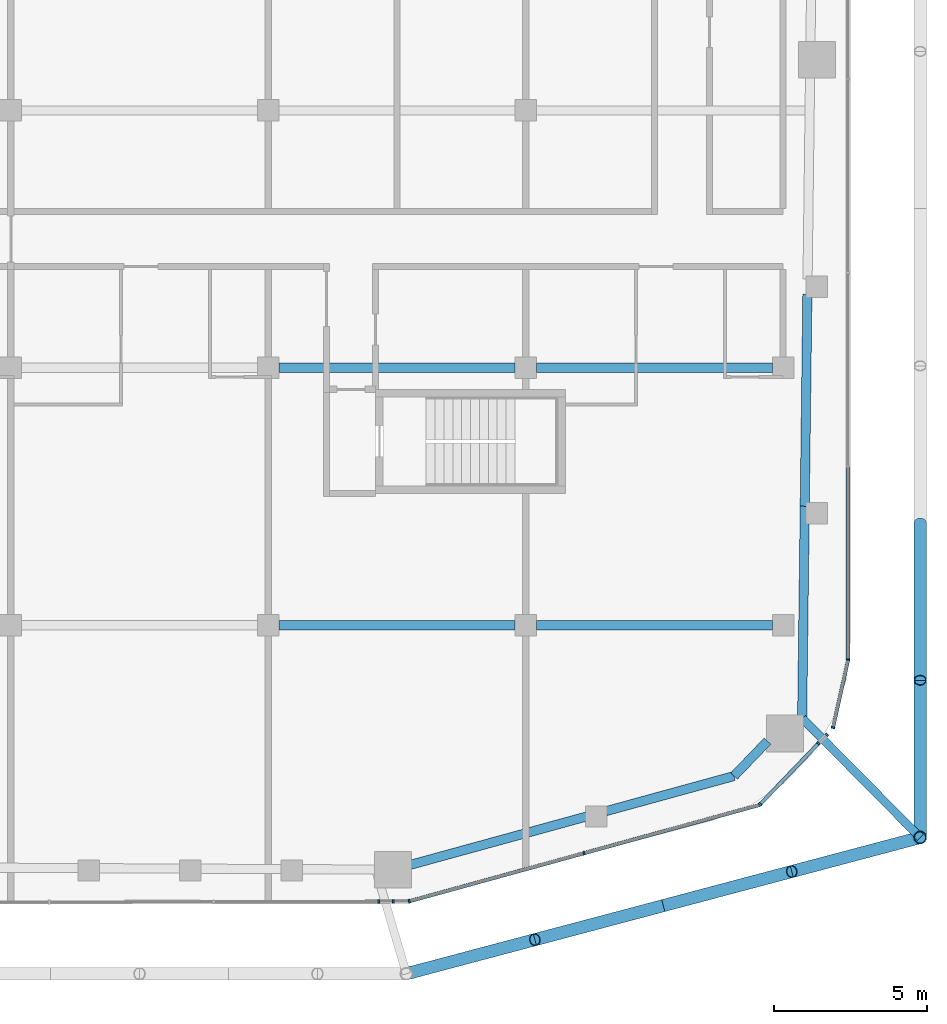
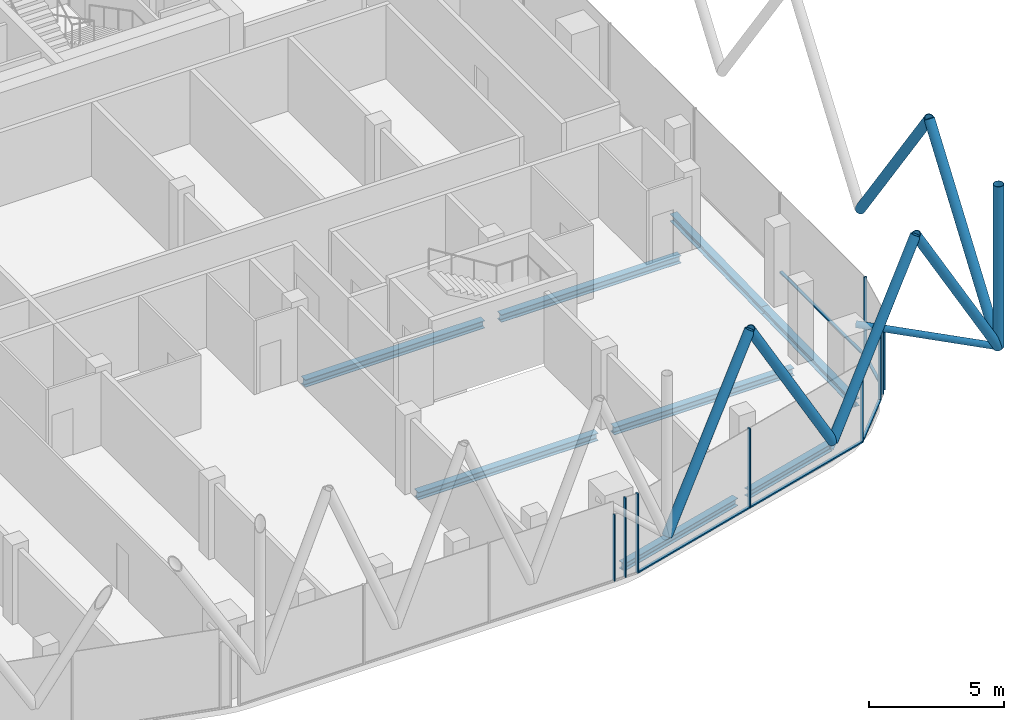
# One storey, part 6 of 27: 22 members, 9 beams, 7 elements without a shape of their own.
"""IFC4 building model written with IfcOpenShell, lengths in metres."""

from ifc_helpers import new_model, si_unit, direction, frame, origin, origin_2d, place, context, subcontext, project, spatial, rectangle, hollow_circle, i_section, extrude, material, layer, layer_set, material_profile, profile_set, type_object, element, aggregate, save


model = new_model("IFC4")

# Units and contexts
model_context = context("Model", 3, precision=1e-05, world=origin(), true_north=direction((0.0, 1.0)))
body_context = subcontext(model_context, "Body", "Model", "MODEL_VIEW")
ifc_project = project(units=[si_unit("LENGTHUNIT", "METRE"), si_unit("AREAUNIT", "SQUARE_METRE"), si_unit("VOLUMEUNIT", "CUBIC_METRE"), si_unit("PLANEANGLEUNIT", "RADIAN"), si_unit("MASSUNIT", "GRAM", prefix="KILO")], contexts=[model_context])

# Site, building, storey
site_placement = place(None, origin())
site = spatial("IfcSite", under=ifc_project, at=site_placement, CompositionType="ELEMENT")
building_placement = place(site_placement, origin())
building = spatial("IfcBuilding", under=site, at=building_placement, Name="Marenta Gate Hotel Tower", CompositionType="ELEMENT")
storey_placement = place(building_placement, frame((0.0, 0.0, 270.5)))
storey = spatial("IfcBuildingStorey", under=building, at=storey_placement, Name="L62", CompositionType="ELEMENT", Elevation=270.5)

# Members
ifc_material_1 = material(Name="Steel S355J2W", Category="steel")
ifc_material_profile_1 = material_profile(ifc_material_1, hollow_circle(Radius=0.203125, WallThickness=0.01611328125, at=origin_2d()), Name="CHS 406.4x16")
ifc_profile_set_1 = profile_set([ifc_material_profile_1], Name="Steel S355J2W")
member_type_1 = type_object("IfcMemberType", Name="Diagrid corner post Z4 CHS 406.4x16", PredefinedType="POST", material=ifc_profile_set_1)
member_1_placement = place(storey_placement, frame((25.469970703125, -32.123291015625, 3.139892578125), z_axis=(0.0, 0.0, 1.0), x_axis=(1.0, 0.0, 0.0)))
element("IfcMember", 1, at=member_1_placement, inside=storey, type_object=member_type_1, Name="L62-DR-2", PredefinedType="POST", context=body_context, shape_type="SweptSolid", body=[
    extrude(hollow_circle(Radius=0.203125, WallThickness=0.01611328125, at=origin_2d()), origin(), (0.0, 0.0, 1.0), 7.360107421875),
])
ifc_material_2 = material(Name="Steel S355J2W", Category="steel")
ifc_material_profile_2 = material_profile(ifc_material_2, hollow_circle(Radius=0.203125, WallThickness=0.02490234375, at=origin_2d()), Name="CHS 406.4x25")
ifc_profile_set_2 = profile_set([ifc_material_profile_2], Name="Steel S355J2W")
member_type_2 = type_object("IfcMemberType", Name="Diagrid diagonal Z4 CHS 406.4x25", PredefinedType="BRACE", material=ifc_profile_set_2)
for number, where, z_axis, x_axis, name in (
    (2, (25.469970703125, -21.864501953125, 3.139892578125), (0.0, -0.580218919795, 0.814460560808), (1.0, 0.0, 0.0), "L62-DG-9"),
    (3, (25.469970703125, -32.123291015625, 3.139892578125), (0.0, 0.580218919795, 0.814460560808), (-1.0, 0.0, 0.0), "L62-DG-10"),
):
    element("IfcMember", number, at=place(storey_placement, frame(where, z_axis=z_axis, x_axis=x_axis)), inside=storey, type_object=member_type_2, Name=name, PredefinedType="BRACE", context=body_context, shape_type="SweptSolid", body=[
        extrude(hollow_circle(Radius=0.203125, WallThickness=0.02490234375, at=origin_2d()), origin(), (0.0, 0.0, 1.0), 8.84033203125),
    ])
for number, where, z_axis, x_axis, name in (
    (4, (25.469970703125, -32.123291015625, 3.139892578125), (-0.498562971397, -0.132258766461, 0.856704489451), (0.256411076507, -0.966567824751, 0.0), "L62-DG-11"),
    (5, (17.089599609375, -34.3466796875, 3.139892578125), (0.498561055746, 0.132287306873, 0.856701197696), (-0.256463689668, 0.966553866001, 0.0), "L62-DG-12"),
    (6, (17.089599609375, -34.3466796875, 3.139892578125), (-0.498562971397, -0.132258766461, 0.856704489451), (0.256411076507, -0.966567824751, 0.0), "L62-DG-13"),
):
    element("IfcMember", number, at=place(storey_placement, frame(where, z_axis=z_axis, x_axis=x_axis)), inside=storey, type_object=member_type_2, Name=name, PredefinedType="BRACE", context=body_context, shape_type="SweptSolid", body=[
        extrude(hollow_circle(Radius=0.203125, WallThickness=0.02490234375, at=origin_2d()), origin(), (0.0, 0.0, 1.0), 8.404541015625),
    ])
member_2_placement = place(storey_placement, frame((8.708984375, -36.570068359375, 3.139892578125), z_axis=(0.498582883458, 0.132285391008, 0.85668879043), x_axis=(-0.256449730421, 0.966557569815, 0.0)))
element("IfcMember", 7, at=member_2_placement, inside=storey, type_object=member_type_2, Name="L62-DG-14", PredefinedType="BRACE", context=body_context, shape_type="SweptSolid", body=[
    extrude(hollow_circle(Radius=0.203125, WallThickness=0.02490234375, at=origin_2d()), origin(), (0.0, 0.0, 1.0), 8.40478515625),
])

# Beams
ifc_material_3 = material(Name="Steel S355", Category="steel")
ifc_material_profile_3 = material_profile(ifc_material_3, i_section(OverallWidth=0.300048828125, OverallDepth=0.340087890625, WebThickness=0.011962890625, FlangeThickness=0.021484375, FilletRadius=0.027099609375, at=origin_2d()), Name="HEB 340")
ifc_profile_set_3 = profile_set([ifc_material_profile_3], Name="Steel S355")
beam_type_1 = type_object("IfcBeamType", Name="Edge beam HEB 340", PredefinedType="SPANDREL", material=ifc_profile_set_3)
for number, where, z_axis, x_axis, name in (
    (8, (21.789794921875, -14.40087890625, -0.429931640625), (-0.01235432395, -0.999923682428, 0.0), (0.999923682428, -0.01235432395, 0.0), "L62-EB-26"),
    (9, (21.704345703125, -21.31689453125, -0.429931640625), (-0.012319031246, -0.999924117856, 0.0), (0.999924117856, -0.012319031246, 0.0), "L62-EB-27"),
):
    element("IfcBeam", number, at=place(storey_placement, frame(where, z_axis=z_axis, x_axis=x_axis)), inside=storey, type_object=beam_type_1, Name=name, PredefinedType="SPANDREL", context=body_context, shape_type="SweptSolid", body=[
        extrude(i_section(OverallWidth=0.300048828125, OverallDepth=0.340087890625, WebThickness=0.011962890625, FlangeThickness=0.021484375, FilletRadius=0.027099609375, at=origin_2d()), origin(), (0.0, 0.0, 1.0), 6.91650390625),
    ])
beam_1_placement = place(storey_placement, frame((20.49072265625, -28.979248046875, -0.429931640625), z_axis=(-0.69258652087, -0.721334812073, 0.0), x_axis=(0.721334812073, -0.69258652087, 0.0)))
element("IfcBeam", 10, at=beam_1_placement, inside=storey, type_object=beam_type_1, Name="L62-EB-28", PredefinedType="SPANDREL", context=body_context, shape_type="SweptSolid", body=[
    extrude(i_section(OverallWidth=0.300048828125, OverallDepth=0.340087890625, WebThickness=0.011962890625, FlangeThickness=0.021484375, FilletRadius=0.027099609375, at=origin_2d()), origin(), (0.0, 0.0, 1.0), 1.57958984375),
])
beam_2_placement = place(storey_placement, frame((19.396728515625, -30.11865234375, -0.429931640625), z_axis=(-0.964358292356, -0.264599856319, 0.0), x_axis=(0.264599856319, -0.964358292356, 0.0)))
element("IfcBeam", 11, at=beam_2_placement, inside=storey, type_object=beam_type_1, Name="L62-EB-29", PredefinedType="SPANDREL", context=body_context, shape_type="SweptSolid", body=[
    extrude(i_section(OverallWidth=0.300048828125, OverallDepth=0.340087890625, WebThickness=0.011962890625, FlangeThickness=0.021484375, FilletRadius=0.027099609375, at=origin_2d()), origin(), (0.0, 0.0, 1.0), 4.3330078125),
])
beam_3_placement = place(storey_placement, frame((14.595458984375, -31.43603515625, -0.429931640625), z_axis=(-0.964360464959, -0.264591937941, 0.0), x_axis=(0.264591937941, -0.964360464959, 0.0)))
element("IfcBeam", 12, at=beam_3_placement, inside=storey, type_object=beam_type_1, Name="L62-EB-30", PredefinedType="SPANDREL", context=body_context, shape_type="SweptSolid", body=[
    extrude(i_section(OverallWidth=0.300048828125, OverallDepth=0.340087890625, WebThickness=0.011962890625, FlangeThickness=0.021484375, FilletRadius=0.027099609375, at=origin_2d()), origin(), (0.0, 0.0, 1.0), 5.98095703125),
])

# Member
ifc_material_4 = material(Name="Steel S355J2W", Category="steel")
ifc_material_profile_4 = material_profile(ifc_material_4, hollow_circle(Radius=0.136474609375, WallThickness=0.012451171875, at=origin_2d()), Name="CHS 273x12.5")
ifc_profile_set_4 = profile_set([ifc_material_profile_4], Name="Steel S355J2W")
member_type_3 = type_object("IfcMemberType", Name="Floor tie CHS 273x12.5", PredefinedType="STRUT", material=ifc_profile_set_4)
member_3_placement = place(storey_placement, frame((25.469970703125, -32.123291015625, 3.139892578125), z_axis=(-0.703501734025, 0.710693541707, 0.0), x_axis=(-0.710693541707, -0.703501734025, 0.0)))
element("IfcMember", 13, at=member_3_placement, inside=storey, type_object=member_type_3, Name="L62-DR-8", PredefinedType="STRUT", context=body_context, shape_type="SweptSolid", body=[
    extrude(hollow_circle(Radius=0.136474609375, WallThickness=0.012451171875, at=origin_2d()), origin(), (0.0, 0.0, 1.0), 5.465576171875),
])

# Beams
ifc_material_5 = material(Name="Steel S355", Category="steel")
ifc_material_profile_5 = material_profile(ifc_material_5, i_section(OverallWidth=0.300048828125, OverallDepth=0.340087890625, WebThickness=0.011962890625, FlangeThickness=0.021484375, FilletRadius=0.027099609375, at=origin_2d()), Name="HEB 340")
ifc_profile_set_5 = profile_set([ifc_material_profile_5], Name="Steel S355")
beam_type_2 = type_object("IfcBeamType", Name="Girder HEB 340", PredefinedType="BEAM", material=ifc_profile_set_5)
for number, where, z_axis, x_axis, name in (
    (14, (4.550048828125, -25.199951171875, -0.429931640625), (1.0, 0.0, 0.0), (0.0, 1.0, 0.0), "L62-GD-4"),
    (15, (12.949951171875, -25.199951171875, -0.429931640625), (1.0, 0.0, 0.0), (0.0, 1.0, 0.0), "L62-GD-5"),
    (16, (4.550048828125, -16.800048828125, -0.429931640625), (1.0, 0.0, 0.0), (0.0, 1.0, 0.0), "L62-GD-9"),
    (17, (12.949951171875, -16.800048828125, -0.429931640625), (1.0, 0.0, 0.0), (0.0, 1.0, 0.0), "L62-GD-10"),
):
    element("IfcBeam", number, at=place(storey_placement, frame(where, z_axis=z_axis, x_axis=x_axis)), inside=storey, type_object=beam_type_2, Name=name, PredefinedType="BEAM", context=body_context, shape_type="SweptSolid", body=[
        extrude(i_section(OverallWidth=0.300048828125, OverallDepth=0.340087890625, WebThickness=0.011962890625, FlangeThickness=0.021484375, FilletRadius=0.027099609375, at=origin_2d()), origin(), (0.0, 0.0, 1.0), 7.699951171875),
    ])

# Curtain wall, member
ifc_material_6 = material(Name="Tinted insulated glass in bronze anodised frame", Category="glass")
ifc_layer = layer(ifc_material_6, 0.1201171875)
ifc_layer_set = layer_set([ifc_layer], Name="Tinted insulated glass in bronze anodised frame")
curtain_wall_type = type_object("IfcCurtainWallType", Name="Tower unitised curtain wall CW1", PredefinedType="NOTDEFINED", material=ifc_layer_set)
curtain_wall_1_placement = place(storey_placement, origin())
curtain_wall_1 = element("IfcCurtainWall", 18, at=curtain_wall_1_placement, inside=storey, type_object=curtain_wall_type, Name="CW1 run G11", PredefinedType="NOTDEFINED")
ifc_material_7 = material(Name="Bronze anodised aluminium", Category="aluminium")
ifc_material_profile_6 = material_profile(ifc_material_7, rectangle(XDim=0.1201171875, YDim=0.06005859375, at=origin_2d()), Name="Mullion CW1 60x120 bronze anodised aluminium")
ifc_profile_set_6 = profile_set([ifc_material_profile_6], Name="Bronze anodised aluminium")
member_type_4 = type_object("IfcMemberType", Name="Mullion CW1 60x120 bronze anodised aluminium", PredefinedType="MULLION", material=ifc_profile_set_6)
member_4_placement = place(storey_placement, frame((7.80810546875, -34.214111328125, 0.0), z_axis=(0.0, 0.0, 1.0), x_axis=(-0.002118639317, 0.999997755681, 0.0)))
member_4 = element("IfcMember", 19, at=member_4_placement, type_object=member_type_4, Name="CW1 mullion 1", PredefinedType="MULLION", context=body_context, shape_type="SweptSolid", body=[
    extrude(rectangle(XDim=0.1201171875, YDim=0.06005859375, at=origin_2d()), origin(), (0.0, 0.0, 1.0), 3.00048828125),
])
aggregate(curtain_wall_1, [member_4])

curtain_wall_2_placement = place(storey_placement, origin())
curtain_wall_2 = element("IfcCurtainWall", 20, at=curtain_wall_2_placement, inside=storey, type_object=curtain_wall_type, Name="CW1 run G12", PredefinedType="NOTDEFINED")
member_5_placement = place(storey_placement, frame((8.280029296875, -34.213134765625, 0.0), z_axis=(0.0, 0.0, 1.0), x_axis=(-0.002095233492, 0.999997804996, 0.0)))
member_5 = element("IfcMember", 21, at=member_5_placement, type_object=member_type_4, Name="CW1 mullion 1", PredefinedType="MULLION", context=body_context, shape_type="SweptSolid", body=[
    extrude(rectangle(XDim=0.1201171875, YDim=0.06005859375, at=origin_2d()), origin(), (0.0, 0.0, 1.0), 3.60009765625),
])
aggregate(curtain_wall_2, [member_5])

# Curtain wall, members
curtain_wall_3_placement = place(storey_placement, origin())
curtain_wall_3 = element("IfcCurtainWall", 22, at=curtain_wall_3_placement, inside=storey, type_object=curtain_wall_type, Name="CW1 run G13", PredefinedType="NOTDEFINED")
member_6_placement = place(storey_placement, frame((8.803955078125, -34.2041015625, 0.0), z_axis=(0.0, 0.0, 1.0), x_axis=(-0.265292115151, 0.964168083707, 0.0)))
member_6 = element("IfcMember", 23, at=member_6_placement, type_object=member_type_4, Name="CW1 mullion 1", PredefinedType="MULLION", context=body_context, shape_type="SweptSolid", body=[
    extrude(rectangle(XDim=0.1201171875, YDim=0.06005859375, at=origin_2d()), origin(), (0.0, 0.0, 1.0), 3.60009765625),
])
member_7_placement = place(storey_placement, frame((14.5, -32.636962890625, 0.0), z_axis=(0.0, 0.0, 1.0), x_axis=(-0.265292115151, 0.964168083707, 0.0)))
member_7 = element("IfcMember", 24, at=member_7_placement, type_object=member_type_4, Name="CW1 mullion 2", PredefinedType="MULLION", context=body_context, shape_type="SweptSolid", body=[
    extrude(rectangle(XDim=0.1201171875, YDim=0.06005859375, at=origin_2d()), origin(), (0.0, 0.0, 1.0), 3.60009765625),
])

# Curtain wall, member
curtain_wall_4_placement = place(storey_placement, origin())
curtain_wall_4 = element("IfcCurtainWall", 25, at=curtain_wall_4_placement, inside=storey, type_object=curtain_wall_type, Name="CW1 run G14", PredefinedType="NOTDEFINED")
member_8_placement = place(storey_placement, frame((20.24560546875, -31.0400390625, 0.0), z_axis=(0.0, 0.0, 1.0), x_axis=(-0.721368463885, 0.692551470514, 0.0)))
member_8 = element("IfcMember", 26, at=member_8_placement, type_object=member_type_4, Name="CW1 mullion 1", PredefinedType="MULLION", context=body_context, shape_type="SweptSolid", body=[
    extrude(rectangle(XDim=0.1201171875, YDim=0.06005859375, at=origin_2d()), origin(), (0.0, 0.0, 1.0), 3.60009765625),
])

# Curtain wall, members
curtain_wall_5_placement = place(storey_placement, origin())
curtain_wall_5 = element("IfcCurtainWall", 27, at=curtain_wall_5_placement, inside=storey, type_object=curtain_wall_type, Name="CW1 run G15", PredefinedType="NOTDEFINED")
member_9_placement = place(storey_placement, frame((22.15380859375, -29.052490234375, 0.0), z_axis=(0.0, 0.0, 1.0), x_axis=(-0.721413780458, 0.692504265233, 0.0)))
member_9 = element("IfcMember", 28, at=member_9_placement, type_object=member_type_4, Name="CW1 mullion 1", PredefinedType="MULLION", context=body_context, shape_type="SweptSolid", body=[
    extrude(rectangle(XDim=0.1201171875, YDim=0.06005859375, at=origin_2d()), origin(), (0.0, 0.0, 1.0), 3.00048828125),
])
member_10_placement = place(storey_placement, frame((22.426025390625, -28.768798828125, 0.0), z_axis=(0.0, 0.0, 1.0), x_axis=(-0.721413780458, 0.692504265233, 0.0)))
member_10 = element("IfcMember", 29, at=member_10_placement, type_object=member_type_4, Name="CW1 mullion 2", PredefinedType="MULLION", context=body_context, shape_type="SweptSolid", body=[
    extrude(rectangle(XDim=0.1201171875, YDim=0.06005859375, at=origin_2d()), origin(), (0.0, 0.0, 1.0), 3.00048828125),
])
aggregate(curtain_wall_5, [member_9, member_10])

# Curtain wall, member
curtain_wall_6_placement = place(storey_placement, origin())
curtain_wall_6 = element("IfcCurtainWall", 30, at=curtain_wall_6_placement, inside=storey, type_object=curtain_wall_type, Name="CW1 run G16", PredefinedType="NOTDEFINED")
member_11_placement = place(storey_placement, frame((22.626708984375, -28.537109375, 0.0), z_axis=(0.0, 0.0, 1.0), x_axis=(-0.97620669183, 0.216842096529, 0.0)))
member_11 = element("IfcMember", 31, at=member_11_placement, type_object=member_type_4, Name="CW1 mullion 1", PredefinedType="MULLION", context=body_context, shape_type="SweptSolid", body=[
    extrude(rectangle(XDim=0.1201171875, YDim=0.06005859375, at=origin_2d()), origin(), (0.0, 0.0, 1.0), 3.60009765625),
])

curtain_wall_7_placement = place(storey_placement, origin())
curtain_wall_7 = element("IfcCurtainWall", 32, at=curtain_wall_7_placement, inside=storey, type_object=curtain_wall_type, Name="CW1 run G17", PredefinedType="NOTDEFINED")
member_12_placement = place(storey_placement, frame((23.114013671875, -26.31396484375, 0.0), z_axis=(0.0, 0.0, 1.0), x_axis=(-1.0, 0.0, 0.0)))
member_12 = element("IfcMember", 33, at=member_12_placement, type_object=member_type_4, Name="CW1 mullion 1", PredefinedType="MULLION", context=body_context, shape_type="SweptSolid", body=[
    extrude(rectangle(XDim=0.1201171875, YDim=0.06005859375, at=origin_2d()), origin(), (0.0, 0.0, 1.0), 3.60009765625),
])

# Member
ifc_material_8 = material(Name="Bronze anodised aluminium", Category="aluminium")
ifc_material_profile_7 = material_profile(ifc_material_8, rectangle(XDim=0.1201171875, YDim=0.06005859375, at=origin_2d()), Name="Transom CW1 60x120 bronze anodised aluminium")
ifc_profile_set_7 = profile_set([ifc_material_profile_7], Name="Bronze anodised aluminium")
member_type_5 = type_object("IfcMemberType", Name="Transom CW1 60x120 bronze anodised aluminium", PredefinedType="USERDEFINED", material=ifc_profile_set_7)
member_13_placement = place(storey_placement, frame((8.8330078125, -34.1962890625, 0.030029296875), z_axis=(0.964158143693, 0.265328238131, 0.0), x_axis=(-0.265328238131, 0.964158143693, 0.0)))
member_13 = element("IfcMember", 34, at=member_13_placement, type_object=member_type_5, Name="CW1 transom 1.1", ObjectType="TRANSOM", PredefinedType="USERDEFINED", context=body_context, shape_type="SweptSolid", body=[
    extrude(rectangle(XDim=0.1201171875, YDim=0.06005859375, at=origin_2d()), origin(), (0.0, 0.0, 1.0), 5.847412109375),
])

member_14_placement = place(storey_placement, frame((14.52880859375, -32.62890625, 0.030029296875), z_axis=(0.964173953392, 0.265270781656, 0.0), x_axis=(-0.265270781656, 0.964173953392, 0.0)))
member_14 = element("IfcMember", 35, at=member_14_placement, type_object=member_type_5, Name="CW1 transom 2.1", ObjectType="TRANSOM", PredefinedType="USERDEFINED", context=body_context, shape_type="SweptSolid", body=[
    extrude(rectangle(XDim=0.1201171875, YDim=0.06005859375, at=origin_2d()), origin(), (0.0, 0.0, 1.0), 5.90771484375),
])

aggregate(curtain_wall_3, [member_6, member_7, member_13, member_14])

member_15_placement = place(storey_placement, frame((20.266357421875, -31.018310546875, 0.030029296875), z_axis=(0.692603477212, 0.721318531132, 0.0), x_axis=(-0.721318531132, 0.692603477212, 0.0)))
member_15 = element("IfcMember", 36, at=member_15_placement, type_object=member_type_5, Name="CW1 transom 1.1", ObjectType="TRANSOM", PredefinedType="USERDEFINED", context=body_context, shape_type="SweptSolid", body=[
    extrude(rectangle(XDim=0.1201171875, YDim=0.06005859375, at=origin_2d()), origin(), (0.0, 0.0, 1.0), 2.6953125),
])

aggregate(curtain_wall_4, [member_8, member_15])

member_16_placement = place(storey_placement, frame((22.63330078125, -28.5078125, 0.030029296875), z_axis=(0.216872146276, 0.976200016477, 0.0), x_axis=(-0.976200016477, 0.216872146276, 0.0)))
member_16 = element("IfcMember", 37, at=member_16_placement, type_object=member_type_5, Name="CW1 transom 1.1", ObjectType="TRANSOM", PredefinedType="USERDEFINED", context=body_context, shape_type="SweptSolid", body=[
    extrude(rectangle(XDim=0.1201171875, YDim=0.06005859375, at=origin_2d()), origin(), (0.0, 0.0, 1.0), 2.216552734375),
])

aggregate(curtain_wall_6, [member_11, member_16])

member_17_placement = place(storey_placement, frame((23.114013671875, -26.283935546875, 0.030029296875), z_axis=(0.0, 1.0, 0.0), x_axis=(-1.0, 0.0, 0.0)))
member_17 = element("IfcMember", 38, at=member_17_placement, type_object=member_type_5, Name="CW1 transom 1.1", ObjectType="TRANSOM", PredefinedType="USERDEFINED", context=body_context, shape_type="SweptSolid", body=[
    extrude(rectangle(XDim=0.1201171875, YDim=0.06005859375, at=origin_2d()), origin(), (0.0, 0.0, 1.0), 6.232666015625),
])

aggregate(curtain_wall_7, [member_12, member_17])

save(model, "model.ifc")
